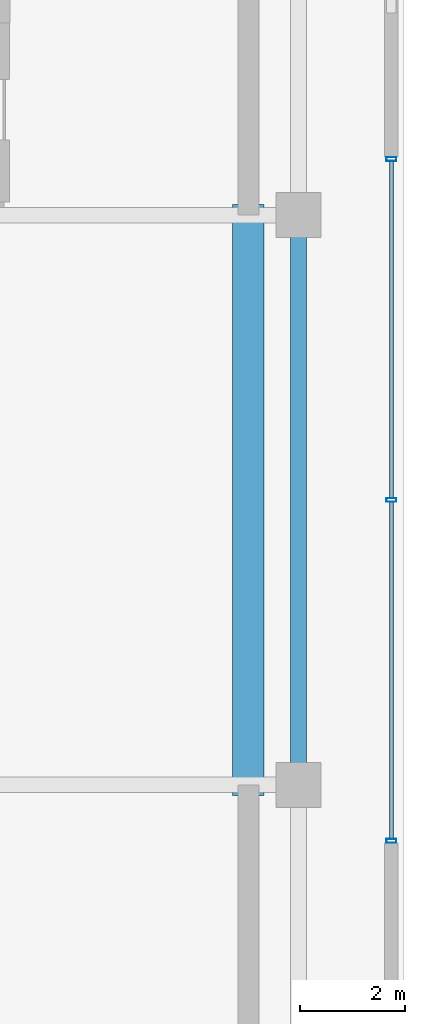
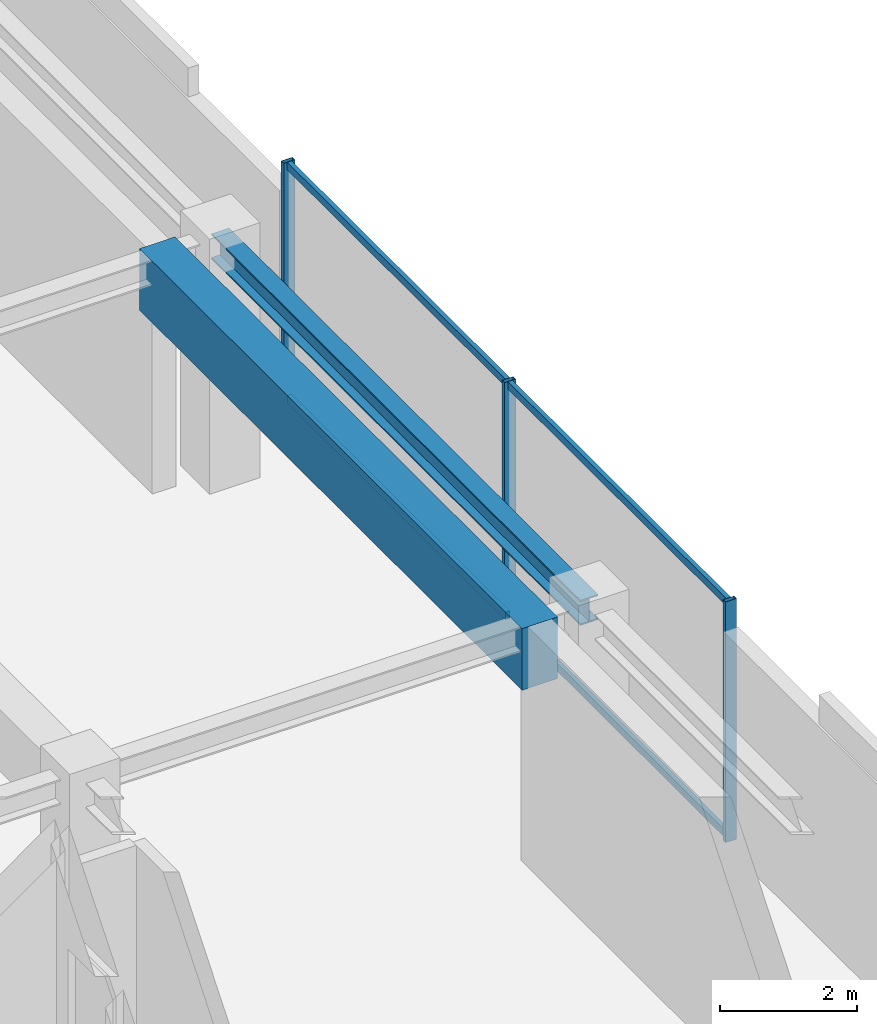
# One storey, part 10 of 18: 7 members, 2 beams, 1 element without a shape of its own.
"""IFC4 building model written with IfcOpenShell, lengths in metres."""

from ifc_helpers import new_model, si_unit, direction, frame, origin, origin_2d, place, context, subcontext, project, spatial, rectangle, hollow_rectangle, i_section, extrude, source, transform, mapped, material, material_profile, profile_set, type_object, element, aggregate, save


model = new_model("IFC4")

# Units and contexts
model_context = context("Model", 3, precision=1e-05, world=origin(), true_north=direction((0.0, 1.0)))
body_context = subcontext(model_context, "Body", "Model", "MODEL_VIEW")
ifc_project = project(units=[si_unit("LENGTHUNIT", "METRE"), si_unit("AREAUNIT", "SQUARE_METRE"), si_unit("VOLUMEUNIT", "CUBIC_METRE"), si_unit("PLANEANGLEUNIT", "RADIAN"), si_unit("MASSUNIT", "GRAM", prefix="KILO")], contexts=[model_context])

# Site, building, storey
site_placement = place(None, origin())
site = spatial("IfcSite", under=ifc_project, at=site_placement, CompositionType="ELEMENT")
building_placement = place(site_placement, origin())
building = spatial("IfcBuilding", under=site, at=building_placement, Name="Nahalor Promenade Grand Hotel", CompositionType="ELEMENT")
storey_placement = place(building_placement, frame((0.0, 0.0, 361.64990234375)))
storey = spatial("IfcBuildingStorey", under=building, at=storey_placement, Name="L92", CompositionType="ELEMENT", Elevation=361.64990234375)

# Beams
ifc_material_1 = material(Name="Concrete B-60 (C50/60)", Category="concrete")
ifc_material_profile_1 = material_profile(ifc_material_1, rectangle(XDim=0.6, YDim=1.1, at=origin_2d()), Name="RC 600x1100")
ifc_profile_set_1 = profile_set([ifc_material_profile_1], Name="Concrete B-60 (C50/60)")
beam_type_1 = type_object("IfcBeamType", Name="Beam-Lintel-RC1100", PredefinedType="LINTEL", material=ifc_profile_set_1)
shared_shape_1 = source(origin(), body_context, "Body", "SweptSolid", [
    extrude(rectangle(XDim=0.6, YDim=1.1, at=origin_2d()), origin(), (0.0, 0.0, 1.0), 11.2001953125),
])
beam_1_placement = place(storey_placement, frame((16.050048828125, -5.60009765625, 3.75), z_axis=(0.0, 1.0, 0.0), x_axis=(-1.0, 0.0, 0.0)))
element("IfcBeam", 1, at=beam_1_placement, inside=storey, type_object=beam_type_1, Name="BM-L92-LINT-E", PredefinedType="LINTEL", context=body_context, shape_type="MappedRepresentation", body=[
    mapped(shared_shape_1, transform((0.0, 0.0, 0.0), scale=1.0)),
])
ifc_material_2 = material(Name="Steel S355JR", Category="steel")
ifc_material_profile_2 = material_profile(ifc_material_2, i_section(OverallWidth=0.3, OverallDepth=0.45, WebThickness=0.014, FlangeThickness=0.026, at=origin_2d()), Name="HEB 450")
ifc_profile_set_2 = profile_set([ifc_material_profile_2], Name="Steel S355JR")
beam_type_2 = type_object("IfcBeamType", Name="Beam-Girder-HEB450", PredefinedType="BEAM", material=ifc_profile_set_2)
shared_shape_2 = source(origin(), body_context, "Body", "SweptSolid", [
    extrude(i_section(OverallWidth=0.3, OverallDepth=0.45, WebThickness=0.014, FlangeThickness=0.026, at=origin_2d()), origin(), (0.0, 0.0, 1.0), 10.7998046875),
])
beam_2_placement = place(storey_placement, frame((17.0, -5.39990234375, 4.0751953125), z_axis=(0.0, 1.0, 0.0), x_axis=(-1.0, 0.0, 0.0)))
element("IfcBeam", 2, at=beam_2_placement, inside=storey, type_object=beam_type_2, Name="BM-L92-GY-5-1", PredefinedType="BEAM", context=body_context, shape_type="MappedRepresentation", body=[
    mapped(shared_shape_2, transform((0.0, 0.0, 0.0), scale=1.0)),
])

# Curtain wall, members
ifc_material_3 = material(Name="Anodised Bronze Aluminium EN AW-6063 T6", Category="aluminium")
curtain_wall_type = type_object("IfcCurtainWallType", Name="CW6 Crown Botanical Conservatory Curtain Wall", PredefinedType="USERDEFINED", material=ifc_material_3)
curtain_wall_placement = place(storey_placement, origin())
curtain_wall = element("IfcCurtainWall", 3, at=curtain_wall_placement, inside=storey, type_object=curtain_wall_type, Name="L92 Curtain Wall CW-L92-E", ObjectType="UNITISED_CURTAIN_WALL", PredefinedType="USERDEFINED")
ifc_material_profile_3 = material_profile(ifc_material_3, hollow_rectangle(XDim=0.075, YDim=0.135, WallThickness=0.004, at=origin_2d()), Name="CWT 75x135x4")
ifc_profile_set_3 = profile_set([ifc_material_profile_3], Name="Anodised Bronze Aluminium EN AW-6063 T6")
member_type_1 = type_object("IfcMemberType", Name="CWT6 Conservatory Transom 75x135", PredefinedType="USERDEFINED", material=ifc_profile_set_3)
shared_shape_3 = source(origin(), body_context, "Body", "SweptSolid", [
    extrude(hollow_rectangle(XDim=0.075, YDim=0.135, WallThickness=0.004, at=origin_2d()), origin(), (0.0, 0.0, 1.0), 6.387451171875),
])
member_1_placement = place(storey_placement, frame((18.760009765625, -6.425048828125, 0.067626953125), z_axis=(0.0, 1.0, 0.0), x_axis=(-1.0, 0.0, 0.0)))
member_1 = element("IfcMember", 4, at=member_1_placement, type_object=member_type_1, Name="CW-L92-E Transom 0-0", ObjectType="TRANSOM", PredefinedType="USERDEFINED", context=body_context, shape_type="MappedRepresentation", body=[
    mapped(shared_shape_3, transform((0.0, 0.0, 0.0), scale=1.0)),
])
member_2_placement = place(storey_placement, frame((18.760009765625, -6.425048828125, 4.232666015625), z_axis=(0.0, 1.0, 0.0), x_axis=(-1.0, 0.0, 0.0)))
member_2 = element("IfcMember", 5, at=member_2_placement, type_object=member_type_1, Name="CW-L92-E Transom 0-1", ObjectType="TRANSOM", PredefinedType="USERDEFINED", context=body_context, shape_type="MappedRepresentation", body=[
    mapped(shared_shape_3, transform((0.0, 0.0, 0.0), scale=1.0)),
])
member_3_placement = place(storey_placement, frame((18.760009765625, 0.03759765625, 0.067626953125), z_axis=(0.0, 1.0, 0.0), x_axis=(-1.0, 0.0, 0.0)))
member_3 = element("IfcMember", 6, at=member_3_placement, type_object=member_type_1, Name="CW-L92-E Transom 1-0", ObjectType="TRANSOM", PredefinedType="USERDEFINED", context=body_context, shape_type="MappedRepresentation", body=[
    mapped(shared_shape_3, transform((0.0, 0.0, 0.0), scale=1.0)),
])
member_4_placement = place(storey_placement, frame((18.760009765625, 0.03759765625, 4.232666015625), z_axis=(0.0, 1.0, 0.0), x_axis=(-1.0, 0.0, 0.0)))
member_4 = element("IfcMember", 7, at=member_4_placement, type_object=member_type_1, Name="CW-L92-E Transom 1-1", ObjectType="TRANSOM", PredefinedType="USERDEFINED", context=body_context, shape_type="MappedRepresentation", body=[
    mapped(shared_shape_3, transform((0.0, 0.0, 0.0), scale=1.0)),
])
ifc_material_profile_4 = material_profile(ifc_material_3, hollow_rectangle(XDim=0.075, YDim=0.19, WallThickness=0.005, at=origin_2d()), Name="CWM 75x190x5")
ifc_profile_set_4 = profile_set([ifc_material_profile_4], Name="Anodised Bronze Aluminium EN AW-6063 T6")
member_type_2 = type_object("IfcMemberType", Name="CWM6 Conservatory Bronze Mullion 75x190", PredefinedType="MULLION", material=ifc_profile_set_4)
shared_shape_4 = source(origin(), body_context, "Body", "SweptSolid", [
    extrude(hollow_rectangle(XDim=0.075, YDim=0.19, WallThickness=0.005, at=origin_2d()), origin(), (0.0, 0.0, 1.0), 4.300048828125),
])
member_5_placement = place(storey_placement, frame((18.760009765625, -6.46240234375, 0.0), z_axis=(0.0, 0.0, 1.0), x_axis=(0.0, 1.0, 0.0)))
member_5 = element("IfcMember", 8, at=member_5_placement, type_object=member_type_2, Name="CW-L92-E Mullion 0", PredefinedType="MULLION", context=body_context, shape_type="MappedRepresentation", body=[
    mapped(shared_shape_4, transform((0.0, 0.0, 0.0), scale=1.0)),
])
member_6_placement = place(storey_placement, frame((18.760009765625, 0.0, 0.0), z_axis=(0.0, 0.0, 1.0), x_axis=(0.0, 1.0, 0.0)))
member_6 = element("IfcMember", 9, at=member_6_placement, type_object=member_type_2, Name="CW-L92-E Mullion 1", PredefinedType="MULLION", context=body_context, shape_type="MappedRepresentation", body=[
    mapped(shared_shape_4, transform((0.0, 0.0, 0.0), scale=1.0)),
])
member_7_placement = place(storey_placement, frame((18.760009765625, 6.46240234375, 0.0), z_axis=(0.0, 0.0, 1.0), x_axis=(0.0, 1.0, 0.0)))
member_7 = element("IfcMember", 10, at=member_7_placement, type_object=member_type_2, Name="CW-L92-E Mullion 2", PredefinedType="MULLION", context=body_context, shape_type="MappedRepresentation", body=[
    mapped(shared_shape_4, transform((0.0, 0.0, 0.0), scale=1.0)),
])
aggregate(curtain_wall, [member_5, member_6, member_7, member_1, member_2, member_3, member_4])

save(model, "model.ifc")
